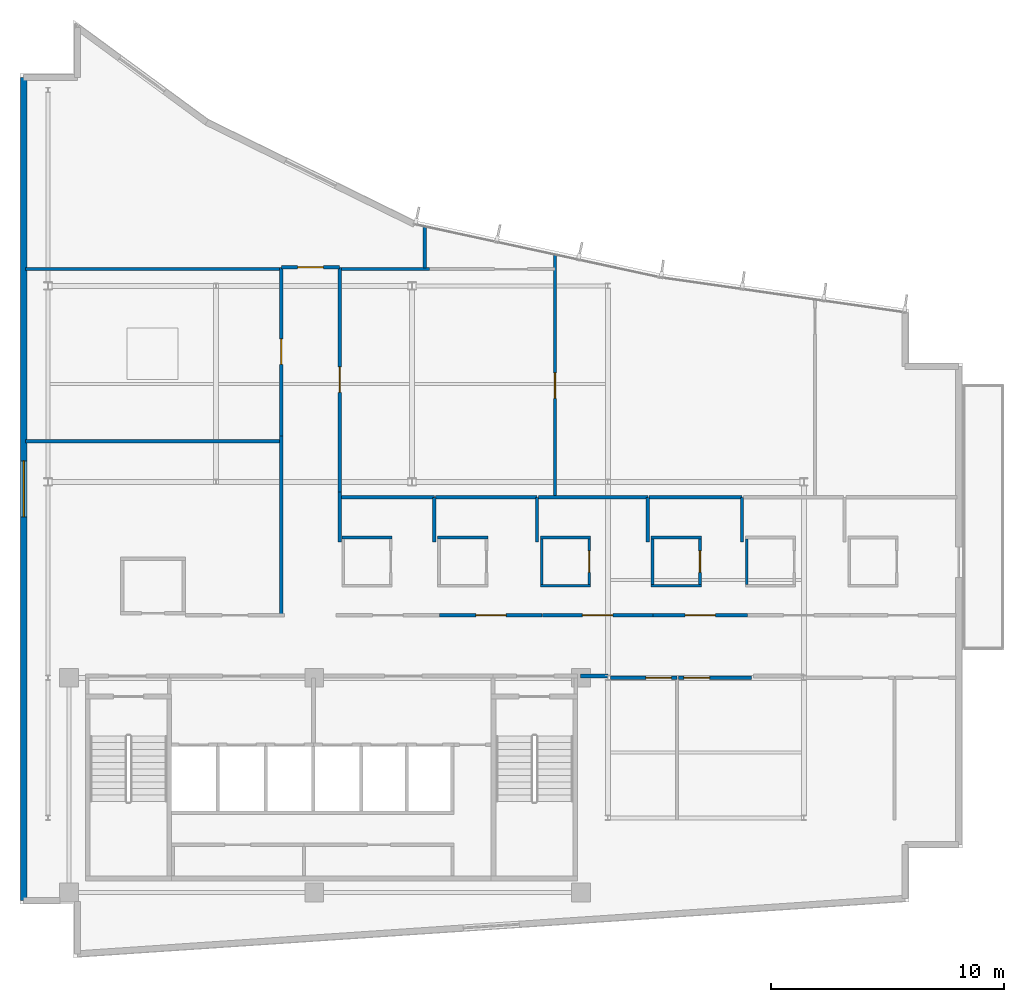
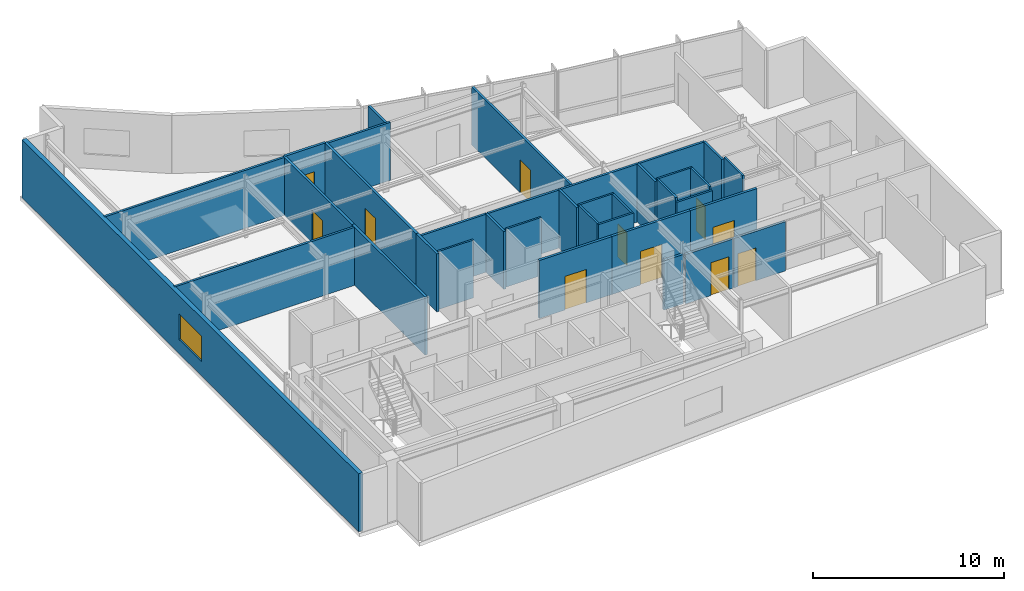
# One storey, part 11 of 16: 36 walls, 11 doors, 1 window, 12 openings.
"""IFC4 building model written with IfcOpenShell, lengths in metres."""

from ifc_helpers import new_model, si_unit, direction, frame, frame_2d, origin, place, context, subcontext, project, spatial, rectangle, extrude, material, layer, layer_set, type_object, element, fill, save


model = new_model("IFC4")

# Units and contexts
model_context = context("Model", 3, precision=1e-05, world=origin(), true_north=direction((0.0, 1.0)))
body_context = subcontext(model_context, "Body", "Model", "MODEL_VIEW")
ifc_project = project(units=[si_unit("LENGTHUNIT", "METRE"), si_unit("AREAUNIT", "SQUARE_METRE"), si_unit("VOLUMEUNIT", "CUBIC_METRE"), si_unit("PLANEANGLEUNIT", "RADIAN"), si_unit("MASSUNIT", "GRAM", prefix="KILO")], contexts=[model_context])

# Site, building, storey
site_placement = place(None, origin())
site = spatial("IfcSite", under=ifc_project, at=site_placement, CompositionType="ELEMENT")
building_placement = place(site_placement, origin())
building = spatial("IfcBuilding", under=site, at=building_placement, Name="Varnakote Quay Hospital", CompositionType="ELEMENT")
storey_placement = place(building_placement, frame((0.0, 0.0, 296.050048828125)))
storey = spatial("IfcBuildingStorey", under=building, at=storey_placement, Name="L73", CompositionType="ELEMENT", Elevation=296.050048828125)

# Walls
ifc_material_1 = material(Name="Fire-rated acoustic gypsum stud wall", Category="gypsum")
ifc_layer_1 = layer(ifc_material_1, 0.159912109375)
ifc_layer_set_1 = layer_set([ifc_layer_1], Name="Fire-rated acoustic gypsum stud wall")
wall_type_1 = type_object("IfcWallType", Name="WL-COMP-160", PredefinedType="PARTITIONING", material=ifc_layer_set_1)
wall_1_placement = place(storey_placement, frame((24.02001953125, 12.080078125, 0.0), z_axis=(0.0, 0.0, 1.0), x_axis=(1.0, 0.0, 0.0)))
element("IfcWall", 1, at=wall_1_placement, inside=storey, type_object=wall_type_1, Name="L73 Corridor South Gap Wall", PredefinedType="PARTITIONING", context=body_context, shape_type="SweptSolid", body=[
    extrude(rectangle(XDim=1.193115234375, YDim=0.159912109375, at=frame_2d((0.5966796875, 0.0))), origin(), (0.0, 0.0, 1.0), 3.156982421875),
])
ifc_material_2 = material(Name="Moisture-resistant bathroom partition", Category="gypsum")
ifc_layer_2 = layer(ifc_material_2, 0.114990234375)
ifc_layer_set_2 = layer_set([ifc_layer_2], Name="Moisture-resistant bathroom partition")
wall_type_2 = type_object("IfcWallType", Name="WL-ENS-115", PredefinedType="PARTITIONING", material=ifc_layer_set_2)
wall_2_placement = place(storey_placement, frame((13.804931640625, 18.017578125, 0.0), z_axis=(0.0, 0.0, 1.0), x_axis=(1.0, 0.0, 0.0)))
element("IfcWall", 2, at=wall_2_placement, inside=storey, type_object=wall_type_2, Name="L73 Inpatient En-Suite Bathroom 01 N Wall", PredefinedType="PARTITIONING", context=body_context, shape_type="SweptSolid", body=[
    extrude(rectangle(XDim=2.150146484375, YDim=0.114990234375, at=frame_2d((1.0751953125, 0.0))), origin(), (0.0, 0.0, 1.0), 3.7099609375),
])
wall_3_placement = place(storey_placement, frame((17.905029296875, 18.017578125, 0.0), z_axis=(0.0, 0.0, 1.0), x_axis=(1.0, 0.0, 0.0)))
element("IfcWall", 3, at=wall_3_placement, inside=storey, type_object=wall_type_2, Name="L73 Inpatient En-Suite Bathroom 02 N Wall", PredefinedType="PARTITIONING", context=body_context, shape_type="SweptSolid", body=[
    extrude(rectangle(XDim=2.14990234375, YDim=0.114990234375, at=frame_2d((1.074951171875, 0.0))), origin(), (0.0, 0.0, 1.0), 3.7099609375),
])
for number, where, z_axis, x_axis, name in (
    (4, (22.304931640625, 15.952392578125, 0.0), (0.0, 0.0, 1.0), (1.0, 0.0, 0.0), "L73 Inpatient En-Suite Bathroom 03 S Wall"),
    (5, (22.304931640625, 18.017578125, 0.0), (0.0, 0.0, 1.0), (1.0, 0.0, 0.0), "L73 Inpatient En-Suite Bathroom 03 N Wall"),
):
    element("IfcWall", number, at=place(storey_placement, frame(where, z_axis=z_axis, x_axis=x_axis)), inside=storey, type_object=wall_type_2, Name=name, PredefinedType="PARTITIONING", context=body_context, shape_type="SweptSolid", body=[
        extrude(rectangle(XDim=2.150146484375, YDim=0.114990234375, at=frame_2d((1.0751953125, 0.0))), origin(), (0.0, 0.0, 1.0), 3.7099609375),
    ])
wall_4_placement = place(storey_placement, frame((22.362548828125, 16.010009765625, 0.0), z_axis=(0.0, 0.0, 1.0), x_axis=(0.0, 1.0, 0.0)))
element("IfcWall", 6, at=wall_4_placement, inside=storey, type_object=wall_type_2, Name="L73 Inpatient En-Suite Bathroom 03 W Wall", PredefinedType="PARTITIONING", context=body_context, shape_type="SweptSolid", body=[
    extrude(rectangle(XDim=1.949951171875, YDim=0.114990234375, at=frame_2d((0.97509765625, 0.0))), origin(), (0.0, 0.0, 1.0), 3.7099609375),
])

# Wall, opening, door
wall_5_placement = place(storey_placement, frame((24.3974609375, 16.010009765625, 0.0), z_axis=(0.0, 0.0, 1.0), x_axis=(0.0, 1.0, 0.0)))
wall_5 = element("IfcWall", 7, at=wall_5_placement, inside=storey, type_object=wall_type_2, Name="L73 Inpatient En-Suite Bathroom 03 E Wall", PredefinedType="PARTITIONING", context=body_context, shape_type="SweptSolid", body=[
    extrude(rectangle(XDim=1.949951171875, YDim=0.114990234375, at=frame_2d((0.97509765625, 0.0))), origin(), (0.0, 0.0, 1.0), 3.7099609375),
])
opening_1_placement = place(wall_5_placement, frame((0.514892578125, 0.0, 0.0)))
opening_1 = element("IfcOpeningElement", 8, at=opening_1_placement, cuts=wall_5, Name="Opening D-L73-ENS03", PredefinedType="OPENING", context=body_context, shape_type="SweptSolid", body=[
    extrude(rectangle(XDim=0.919921875, YDim=2.10009765625, at=frame_2d((0.4599609375, 1.050048828125))), frame((0.0, 0.0673828125, 0.0), z_axis=(0.0, -1.0, 0.0), x_axis=(1.0, 0.0, 0.0)), (0.0, 0.0, 1.0), 0.135009765625),
])
ifc_material_3 = material(Name="Moisture-sealed en-suite bathroom door")
door_type_1 = type_object("IfcDoorType", Name="DR-ENS-920x2100", OperationType="NOTDEFINED", PredefinedType="DOOR", material=ifc_material_3)
door_1_placement = place(opening_1_placement, origin())
door_1 = element("IfcDoor", 9, at=door_1_placement, inside=storey, type_object=door_type_1, Name="L73 Inpatient En-Suite Bathroom 03 Door", OperationType="SINGLE_SWING_RIGHT", OverallHeight=2.10009765625, OverallWidth=0.919921875, PredefinedType="DOOR", context=body_context, shape_type="SweptSolid", body=[
    extrude(rectangle(XDim=0.919921875, YDim=2.10009765625, at=frame_2d((0.4599609375, 1.050048828125))), frame((0.0, 0.02490234375, 0.0), z_axis=(0.0, -1.0, 0.0), x_axis=(1.0, 0.0, 0.0)), (0.0, 0.0, 1.0), 0.050048828125),
])
fill(opening_1, door_1)

# Walls
wall_6_placement = place(storey_placement, frame((27.054931640625, 15.952392578125, 0.0), z_axis=(0.0, 0.0, 1.0), x_axis=(1.0, 0.0, 0.0)))
element("IfcWall", 10, at=wall_6_placement, inside=storey, type_object=wall_type_2, Name="L73 Inpatient En-Suite Bathroom 04 S Wall", PredefinedType="PARTITIONING", context=body_context, shape_type="SweptSolid", body=[
    extrude(rectangle(XDim=2.150146484375, YDim=0.114990234375, at=frame_2d((1.0751953125, 0.0))), origin(), (0.0, 0.0, 1.0), 3.47802734375),
])
wall_7_placement = place(storey_placement, frame((27.054931640625, 18.017578125, 0.0), z_axis=(0.0, 0.0, 1.0), x_axis=(1.0, 0.0, 0.0)))
element("IfcWall", 11, at=wall_7_placement, inside=storey, type_object=wall_type_2, Name="L73 Inpatient En-Suite Bathroom 04 N Wall", PredefinedType="PARTITIONING", context=body_context, shape_type="SweptSolid", body=[
    extrude(rectangle(XDim=2.150146484375, YDim=0.114990234375, at=frame_2d((1.0751953125, 0.0))), origin(), (0.0, 0.0, 1.0), 3.7099609375),
])
wall_8_placement = place(storey_placement, frame((27.112548828125, 16.010009765625, 0.0), z_axis=(0.0, 0.0, 1.0), x_axis=(0.0, 1.0, 0.0)))
element("IfcWall", 12, at=wall_8_placement, inside=storey, type_object=wall_type_2, Name="L73 Inpatient En-Suite Bathroom 04 W Wall", PredefinedType="PARTITIONING", context=body_context, shape_type="SweptSolid", body=[
    extrude(rectangle(XDim=1.949951171875, YDim=0.114990234375, at=frame_2d((0.97509765625, 0.0))), origin(), (0.0, 0.0, 1.0), 3.7099609375),
])

# Wall, opening, door
wall_9_placement = place(storey_placement, frame((29.1474609375, 16.010009765625, 0.0), z_axis=(0.0, 0.0, 1.0), x_axis=(0.0, 1.0, 0.0)))
wall_9 = element("IfcWall", 13, at=wall_9_placement, inside=storey, type_object=wall_type_2, Name="L73 Inpatient En-Suite Bathroom 04 E Wall", PredefinedType="PARTITIONING", context=body_context, shape_type="SweptSolid", body=[
    extrude(rectangle(XDim=1.949951171875, YDim=0.114990234375, at=frame_2d((0.97509765625, 0.0))), origin(), (0.0, 0.0, 1.0), 3.7099609375),
])
opening_2_placement = place(wall_9_placement, frame((0.514892578125, 0.0, 0.0)))
opening_2 = element("IfcOpeningElement", 14, at=opening_2_placement, cuts=wall_9, Name="Opening D-L73-ENS04", PredefinedType="OPENING", context=body_context, shape_type="SweptSolid", body=[
    extrude(rectangle(XDim=0.919921875, YDim=2.10009765625, at=frame_2d((0.4599609375, 1.050048828125))), frame((0.0, 0.0673828125, 0.0), z_axis=(0.0, -1.0, 0.0), x_axis=(1.0, 0.0, 0.0)), (0.0, 0.0, 1.0), 0.135009765625),
])
door_2_placement = place(opening_2_placement, origin())
door_2 = element("IfcDoor", 15, at=door_2_placement, inside=storey, type_object=door_type_1, Name="L73 Inpatient En-Suite Bathroom 04 Door", OperationType="SINGLE_SWING_LEFT", OverallHeight=2.10009765625, OverallWidth=0.919921875, PredefinedType="DOOR", context=body_context, shape_type="SweptSolid", body=[
    extrude(rectangle(XDim=0.919921875, YDim=2.10009765625, at=frame_2d((0.4599609375, 1.050048828125))), frame((0.0, 0.02490234375, 0.0), z_axis=(0.0, -1.0, 0.0), x_axis=(1.0, 0.0, 0.0)), (0.0, 0.0, 1.0), 0.050048828125),
])
fill(opening_2, door_2)

# Wall
wall_10_placement = place(storey_placement, frame((31.152587890625, 16.010009765625, 0.0), z_axis=(0.0, 0.0, 1.0), x_axis=(0.0, 1.0, 0.0)))
element("IfcWall", 16, at=wall_10_placement, inside=storey, type_object=wall_type_2, Name="L73 Inpatient En-Suite Bathroom 05 W Wall", PredefinedType="PARTITIONING", context=body_context, shape_type="SweptSolid", body=[
    extrude(rectangle(XDim=1.949951171875, YDim=0.114990234375, at=frame_2d((0.97509765625, 0.0))), origin(), (0.0, 0.0, 1.0), 3.7099609375),
])

# Wall, opening, window
ifc_material_4 = material(Name="Precast concrete N50 (f'c 50 MPa)", Category="concrete")
ifc_layer_3 = layer(ifc_material_4, 0.260009765625)
ifc_layer_set_3 = layer_set([ifc_layer_3], Name="Precast concrete N50 (f'c 50 MPa)")
wall_type_3 = type_object("IfcWallType", Name="WL-EXT-BRICK-260", PredefinedType="STANDARD", material=ifc_layer_set_3)
wall_11_placement = place(storey_placement, frame((0.159912109375, 37.739990234375, 0.0), z_axis=(0.0, 0.0, 1.0), x_axis=(0.0, -1.0, 0.0)))
wall_11 = element("IfcWall", 17, at=wall_11_placement, inside=storey, type_object=wall_type_3, Name="L73 Brick-Faced Precast Exterior Wall", PredefinedType="STANDARD", context=body_context, shape_type="SweptSolid", body=[
    extrude(rectangle(XDim=35.280029296875, YDim=0.260009765625, at=frame_2d((17.64013671875, 0.0))), origin(), (0.0, 0.0, 1.0), 3.7099609375),
])
opening_3_placement = place(wall_11_placement, frame((16.43994140625, 0.0, 0.89990234375)))
opening_3 = element("IfcOpeningElement", 18, at=opening_3_placement, cuts=wall_11, Name="Opening WN-0297", PredefinedType="OPENING", context=body_context, shape_type="SweptSolid", body=[
    extrude(rectangle(XDim=2.39990234375, YDim=1.64990234375, at=frame_2d((1.199951171875, 0.824951171875))), frame((0.0, 0.139892578125, 0.0), z_axis=(0.0, -1.0, 0.0), x_axis=(1.0, 0.0, 0.0)), (0.0, 0.0, 1.0), 0.280029296875),
])
ifc_material_5 = material(Name="Double-glazed low-E solar glass", Category="glass")
window_type = type_object("IfcWindowType", Name="WIN-CLIN-2400x1650", PartitioningType="SINGLE_PANEL", PredefinedType="WINDOW", material=ifc_material_5)
window_placement = place(opening_3_placement, origin())
window = element("IfcWindow", 19, at=window_placement, inside=storey, type_object=window_type, Name="L73 Solar-Control Clinical Window", OverallHeight=1.64990234375, OverallWidth=2.39990234375, PartitioningType="SINGLE_PANEL", PredefinedType="WINDOW", context=body_context, shape_type="SweptSolid", body=[
    extrude(rectangle(XDim=2.39990234375, YDim=1.64990234375, at=frame_2d((1.199951171875, 0.824951171875))), frame((0.0, 0.030029296875, 0.0), z_axis=(0.0, -1.0, 0.0), x_axis=(1.0, 0.0, 0.0)), (0.0, 0.0, 1.0), 0.06005859375),
])
fill(opening_3, window)

# Walls
ifc_material_6 = material(Name="Smoke-proof clinical partition", Category="gypsum")
ifc_layer_4 = layer(ifc_material_6, 0.135009765625)
ifc_layer_set_4 = layer_set([ifc_layer_4], Name="Smoke-proof clinical partition")
wall_type_4 = type_object("IfcWallType", Name="WL-SMOKE-135", PredefinedType="PARTITIONING", material=ifc_layer_set_4)
for number, where, z_axis, x_axis, name in (
    (20, (11.1201171875, 22.139892578125, 0.0), (0.0, 0.0, 1.0), (-1.0, 0.0, 0.0), "L73 Clinical Interior Partition"),
    (21, (11.1201171875, 29.52001953125, 0.0), (0.0, 0.0, 1.0), (-1.0, 0.0, 0.0), "L73 Clinical Interior Partition"),
):
    element("IfcWall", number, at=place(storey_placement, frame(where, z_axis=z_axis, x_axis=x_axis)), inside=storey, type_object=wall_type_4, Name=name, PredefinedType="PARTITIONING", context=body_context, shape_type="SweptSolid", body=[
        extrude(rectangle(XDim=10.880126953125, YDim=0.135009765625, at=frame_2d((5.43994140625, 0.0))), origin(), (0.0, 0.0, 1.0), 3.7099609375),
    ])
wall_12_placement = place(storey_placement, frame((17.760009765625, 17.83251953125, 0.0), z_axis=(0.0, 0.0, 1.0), x_axis=(0.0, 1.0, 0.0)))
element("IfcWall", 22, at=wall_12_placement, inside=storey, type_object=wall_type_4, Name="L73 Clinical Interior Partition", PredefinedType="PARTITIONING", context=body_context, shape_type="SweptSolid", body=[
    extrude(rectangle(XDim=1.907470703125, YDim=0.135009765625, at=frame_2d((0.95361328125, 0.0))), origin(), (0.0, 0.0, 1.0), 3.7099609375),
])
wall_13_placement = place(storey_placement, frame((17.760009765625, 19.739990234375, 0.0), z_axis=(0.0, 0.0, 1.0), x_axis=(-1.0, 0.0, 0.0)))
element("IfcWall", 23, at=wall_13_placement, inside=storey, type_object=wall_type_4, Name="L73 Clinical Interior Partition", PredefinedType="PARTITIONING", context=body_context, shape_type="SweptSolid", body=[
    extrude(rectangle(XDim=3.97998046875, YDim=0.135009765625, at=frame_2d((1.989990234375, 0.0))), origin(), (0.0, 0.0, 1.0), 3.7099609375),
])
wall_14_placement = place(storey_placement, frame((22.159912109375, 17.83251953125, 0.0), z_axis=(0.0, 0.0, 1.0), x_axis=(0.0, 1.0, 0.0)))
element("IfcWall", 24, at=wall_14_placement, inside=storey, type_object=wall_type_4, Name="L73 Clinical Interior Partition", PredefinedType="PARTITIONING", context=body_context, shape_type="SweptSolid", body=[
    extrude(rectangle(XDim=1.907470703125, YDim=0.135009765625, at=frame_2d((0.95361328125, 0.0))), origin(), (0.0, 0.0, 1.0), 3.7099609375),
])
wall_15_placement = place(storey_placement, frame((22.159912109375, 19.739990234375, 0.0), z_axis=(0.0, 0.0, 1.0), x_axis=(-1.0, 0.0, 0.0)))
element("IfcWall", 25, at=wall_15_placement, inside=storey, type_object=wall_type_4, Name="L73 Clinical Interior Partition", PredefinedType="PARTITIONING", context=body_context, shape_type="SweptSolid", body=[
    extrude(rectangle(XDim=4.342529296875, YDim=0.135009765625, at=frame_2d((2.17138671875, 0.0))), origin(), (0.0, 0.0, 1.0), 3.7099609375),
])
wall_16_placement = place(storey_placement, frame((26.909912109375, 17.83251953125, 0.0), z_axis=(0.0, 0.0, 1.0), x_axis=(0.0, 1.0, 0.0)))
element("IfcWall", 26, at=wall_16_placement, inside=storey, type_object=wall_type_4, Name="L73 Clinical Interior Partition", PredefinedType="PARTITIONING", context=body_context, shape_type="SweptSolid", body=[
    extrude(rectangle(XDim=1.907470703125, YDim=0.135009765625, at=frame_2d((0.95361328125, 0.0))), origin(), (0.0, 0.0, 1.0), 3.7099609375),
])
wall_17_placement = place(storey_placement, frame((26.909912109375, 19.739990234375, 0.0), z_axis=(0.0, 0.0, 1.0), x_axis=(-1.0, 0.0, 0.0)))
element("IfcWall", 27, at=wall_17_placement, inside=storey, type_object=wall_type_4, Name="L73 Clinical Interior Partition", PredefinedType="PARTITIONING", context=body_context, shape_type="SweptSolid", body=[
    extrude(rectangle(XDim=4.6923828125, YDim=0.135009765625, at=frame_2d((2.34619140625, 0.0))), origin(), (0.0, 0.0, 1.0), 3.7099609375),
])
wall_18_placement = place(storey_placement, frame((30.949951171875, 17.83251953125, 0.0), z_axis=(0.0, 0.0, 1.0), x_axis=(0.0, 1.0, 0.0)))
element("IfcWall", 28, at=wall_18_placement, inside=storey, type_object=wall_type_4, Name="L73 Clinical Interior Partition", PredefinedType="PARTITIONING", context=body_context, shape_type="SweptSolid", body=[
    extrude(rectangle(XDim=1.907470703125, YDim=0.135009765625, at=frame_2d((0.95361328125, 0.0))), origin(), (0.0, 0.0, 1.0), 3.7099609375),
])
wall_19_placement = place(storey_placement, frame((30.949951171875, 19.739990234375, 0.0), z_axis=(0.0, 0.0, 1.0), x_axis=(-1.0, 0.0, 0.0)))
element("IfcWall", 29, at=wall_19_placement, inside=storey, type_object=wall_type_4, Name="L73 Clinical Interior Partition", PredefinedType="PARTITIONING", context=body_context, shape_type="SweptSolid", body=[
    extrude(rectangle(XDim=3.982421875, YDim=0.135009765625, at=frame_2d((1.9912109375, 0.0))), origin(), (0.0, 0.0, 1.0), 3.7099609375),
])

# Wall, opening, door
wall_20_placement = place(storey_placement, frame((22.929931640625, 19.797607421875, 0.0), z_axis=(0.0, 0.0, 1.0), x_axis=(0.0, 1.0, 0.0)))
wall_20 = element("IfcWall", 30, at=wall_20_placement, inside=storey, type_object=wall_type_4, Name="L73 Clinical Interior Partition", PredefinedType="PARTITIONING", context=body_context, shape_type="SweptSolid", body=[
    extrude(rectangle(XDim=10.341064453125, YDim=0.135009765625, at=frame_2d((5.17041015625, 0.0))), origin(), (0.0, 0.0, 1.0), 3.7099609375),
])
opening_4_placement = place(wall_20_placement, frame((4.178466796875, 0.0, 0.0)))
opening_4 = element("IfcOpeningElement", 31, at=opening_4_placement, cuts=wall_20, Name="Opening D-L73-MD04", PredefinedType="OPENING", context=body_context, shape_type="SweptSolid", body=[
    extrude(rectangle(XDim=1.10009765625, YDim=2.10009765625, at=frame_2d((0.550048828125, 1.050048828125))), frame((0.0, 0.077392578125, 0.0), z_axis=(0.0, -1.0, 0.0), x_axis=(1.0, 0.0, 0.0)), (0.0, 0.0, 1.0), 0.155029296875),
])
ifc_material_7 = material(Name="Acoustic timber clinical consult door", Category="wood")
door_type_2 = type_object("IfcDoorType", Name="DR-CLIN-FD30S-1100x2100", OperationType="NOTDEFINED", PredefinedType="DOOR", material=ifc_material_7)
door_3_placement = place(opening_4_placement, origin())
door_3 = element("IfcDoor", 32, at=door_3_placement, inside=storey, type_object=door_type_2, Name="L73 Crown Clinical Pantry Door", OperationType="SINGLE_SWING_RIGHT", OverallHeight=2.10009765625, OverallWidth=1.10009765625, PredefinedType="DOOR", context=body_context, shape_type="SweptSolid", body=[
    extrude(rectangle(XDim=1.10009765625, YDim=2.10009765625, at=frame_2d((0.550048828125, 1.050048828125))), frame((0.0, 0.02490234375, 0.0), z_axis=(0.0, -1.0, 0.0), x_axis=(1.0, 0.0, 0.0)), (0.0, 0.0, 1.0), 0.050048828125),
])
fill(opening_4, door_3)

# Walls
wall_21_placement = place(storey_placement, frame((17.544677734375, 29.52001953125, 0.0), z_axis=(0.0, 0.0, 1.0), x_axis=(-1.0, 0.0, 0.0)))
element("IfcWall", 33, at=wall_21_placement, inside=storey, type_object=wall_type_4, Name="L73 Clinical Interior Partition", PredefinedType="PARTITIONING", context=body_context, shape_type="SweptSolid", body=[
    extrude(rectangle(XDim=3.7646484375, YDim=0.135009765625, at=frame_2d((1.88232421875, 0.0))), origin(), (0.0, 0.0, 1.0), 3.7099609375),
])
wall_22_placement = place(storey_placement, frame((17.35009765625, 29.577392578125, 0.0), z_axis=(0.0, 0.0, 1.0), x_axis=(0.0, 1.0, 0.0)))
element("IfcWall", 34, at=wall_22_placement, inside=storey, type_object=wall_type_4, Name="L73 Clinical Interior Partition", PredefinedType="PARTITIONING", context=body_context, shape_type="SweptSolid", body=[
    extrude(rectangle(XDim=1.768310546875, YDim=0.135009765625, at=frame_2d((0.88427734375, 0.0))), origin(), (0.0, 0.0, 1.0), 3.7099609375),
])

# Wall, opening, door
ifc_material_8 = material(Name="Fire-rated clinical gypsum partition", Category="gypsum")
ifc_layer_5 = layer(ifc_material_8, 0.14990234375)
ifc_layer_set_5 = layer_set([ifc_layer_5], Name="Fire-rated clinical gypsum partition")
wall_type_5 = type_object("IfcWallType", Name="WL-WARD-150", PredefinedType="PARTITIONING", material=ifc_layer_set_5)
wall_23_placement = place(storey_placement, frame((28.159912109375, 12.0, 0.0), z_axis=(0.0, 0.0, 1.0), x_axis=(-1.0, 0.0, 0.0)))
wall_23 = element("IfcWall", 35, at=wall_23_placement, inside=storey, type_object=wall_type_5, Name="L73 Clinical Interior Partition", PredefinedType="PARTITIONING", context=body_context, shape_type="SweptSolid", body=[
    extrude(rectangle(XDim=2.857421875, YDim=0.14990234375, at=frame_2d((1.4287109375, 0.0))), origin(), (0.0, 0.0, 1.0), 3.156982421875),
])
opening_5_placement = place(wall_23_placement, frame((0.23388671875, 0.0, 0.0)))
opening_5 = element("IfcOpeningElement", 36, at=opening_5_placement, cuts=wall_23, Name="Opening D-L73-RL1", PredefinedType="OPENING", context=body_context, shape_type="SweptSolid", body=[
    extrude(rectangle(XDim=1.10009765625, YDim=2.10009765625, at=frame_2d((0.550048828125, 1.050048828125))), frame((0.0, 0.0849609375, 0.0), z_axis=(0.0, -1.0, 0.0), x_axis=(1.0, 0.0, 0.0)), (0.0, 0.0, 1.0), 0.169921875),
])
door_4_placement = place(opening_5_placement, origin())
door_4 = element("IfcDoor", 37, at=door_4_placement, inside=storey, type_object=door_type_2, Name="L73 Day Infusion Treatment Suite Door", OperationType="SINGLE_SWING_RIGHT", OverallHeight=2.10009765625, OverallWidth=1.10009765625, PredefinedType="DOOR", context=body_context, shape_type="SweptSolid", body=[
    extrude(rectangle(XDim=1.10009765625, YDim=2.10009765625, at=frame_2d((0.550048828125, 1.050048828125))), frame((0.0, 0.02490234375, 0.0), z_axis=(0.0, -1.0, 0.0), x_axis=(1.0, 0.0, 0.0)), (0.0, 0.0, 1.0), 0.050048828125),
])
fill(opening_5, door_4)

wall_24_placement = place(storey_placement, frame((31.35009765625, 12.0, 0.0), z_axis=(0.0, 0.0, 1.0), x_axis=(-1.0, 0.0, 0.0)))
wall_24 = element("IfcWall", 38, at=wall_24_placement, inside=storey, type_object=wall_type_5, Name="L73 Clinical Interior Partition", PredefinedType="PARTITIONING", context=body_context, shape_type="SweptSolid", body=[
    extrude(rectangle(XDim=3.132568359375, YDim=0.14990234375, at=frame_2d((1.56640625, 0.0))), origin(), (0.0, 0.0, 1.0), 3.156982421875),
])
opening_6_placement = place(wall_24_placement, frame((1.791748046875, 0.0, 0.0)))
opening_6 = element("IfcOpeningElement", 39, at=opening_6_placement, cuts=wall_24, Name="Opening D-L73-RL2", PredefinedType="OPENING", context=body_context, shape_type="SweptSolid", body=[
    extrude(rectangle(XDim=1.10009765625, YDim=2.10009765625, at=frame_2d((0.550048828125, 1.050048828125))), frame((0.0, 0.0849609375, 0.0), z_axis=(0.0, -1.0, 0.0), x_axis=(1.0, 0.0, 0.0)), (0.0, 0.0, 1.0), 0.169921875),
])
door_5_placement = place(opening_6_placement, origin())
door_5 = element("IfcDoor", 40, at=door_5_placement, inside=storey, type_object=door_type_2, Name="L73 Telemedicine Consult Office Door", OperationType="SINGLE_SWING_LEFT", OverallHeight=2.10009765625, OverallWidth=1.10009765625, PredefinedType="DOOR", context=body_context, shape_type="SweptSolid", body=[
    extrude(rectangle(XDim=1.10009765625, YDim=2.10009765625, at=frame_2d((0.550048828125, 1.050048828125))), frame((0.0, 0.02490234375, 0.0), z_axis=(0.0, -1.0, 0.0), x_axis=(1.0, 0.0, 0.0)), (0.0, 0.0, 1.0), 0.050048828125),
])
fill(opening_6, door_5)

wall_25_placement = place(storey_placement, frame((22.385986328125, 14.679931640625, 0.0), z_axis=(0.0, 0.0, 1.0), x_axis=(-1.0, 0.0, 0.0)))
wall_25 = element("IfcWall", 41, at=wall_25_placement, inside=storey, type_object=wall_type_5, Name="L73 Clinical Interior Partition", PredefinedType="PARTITIONING", context=body_context, shape_type="SweptSolid", body=[
    extrude(rectangle(XDim=4.39794921875, YDim=0.14990234375, at=frame_2d((2.198974609375, 0.0))), origin(), (0.0, 0.0, 1.0), 3.7099609375),
])
opening_7_placement = place(wall_25_placement, frame((1.549072265625, 0.0, 0.0)))
opening_7 = element("IfcOpeningElement", 42, at=opening_7_placement, cuts=wall_25, Name="Opening D-L73-BR02", PredefinedType="OPENING", context=body_context, shape_type="SweptSolid", body=[
    extrude(rectangle(XDim=1.300048828125, YDim=2.14990234375, at=frame_2d((0.64990234375, 1.074951171875))), frame((0.0, 0.0849609375, 0.0), z_axis=(0.0, -1.0, 0.0), x_axis=(1.0, 0.0, 0.0)), (0.0, 0.0, 1.0), 0.169921875),
])
ifc_material_9 = material(Name="Solid-core timber clinical bed door", Category="wood")
door_type_3 = type_object("IfcDoorType", Name="DR-WARD-FD30S-1300x2150", OperationType="NOTDEFINED", PredefinedType="DOOR", material=ifc_material_9)
door_6_placement = place(opening_7_placement, origin())
door_6 = element("IfcDoor", 43, at=door_6_placement, inside=storey, type_object=door_type_3, Name="L73 Resident Care Bedroom 02 Door", OperationType="SINGLE_SWING_RIGHT", OverallHeight=2.14990234375, OverallWidth=1.300048828125, PredefinedType="DOOR", context=body_context, shape_type="SweptSolid", body=[
    extrude(rectangle(XDim=1.300048828125, YDim=2.14990234375, at=frame_2d((0.64990234375, 1.074951171875))), frame((0.0, 0.02490234375, 0.0), z_axis=(0.0, -1.0, 0.0), x_axis=(1.0, 0.0, 0.0)), (0.0, 0.0, 1.0), 0.050048828125),
])
fill(opening_7, door_6)

wall_26_placement = place(storey_placement, frame((27.135986328125, 14.679931640625, 0.0), z_axis=(0.0, 0.0, 1.0), x_axis=(-1.0, 0.0, 0.0)))
wall_26 = element("IfcWall", 44, at=wall_26_placement, inside=storey, type_object=wall_type_5, Name="L73 Clinical Interior Partition", PredefinedType="PARTITIONING", context=body_context, shape_type="SweptSolid", body=[
    extrude(rectangle(XDim=4.748046875, YDim=0.14990234375, at=frame_2d((2.3740234375, 0.0))), origin(), (0.0, 0.0, 1.0), 3.7099609375),
])
opening_8_placement = place(wall_26_placement, frame((1.72412109375, 0.0, 0.0)))
opening_8 = element("IfcOpeningElement", 45, at=opening_8_placement, cuts=wall_26, Name="Opening D-L73-BR03", PredefinedType="OPENING", context=body_context, shape_type="SweptSolid", body=[
    extrude(rectangle(XDim=1.300048828125, YDim=2.14990234375, at=frame_2d((0.64990234375, 1.074951171875))), frame((0.0, 0.0849609375, 0.0), z_axis=(0.0, -1.0, 0.0), x_axis=(1.0, 0.0, 0.0)), (0.0, 0.0, 1.0), 0.169921875),
])
door_7_placement = place(opening_8_placement, origin())
door_7 = element("IfcDoor", 46, at=door_7_placement, inside=storey, type_object=door_type_3, Name="L73 Resident Care Bedroom 03 Door", OperationType="SINGLE_SWING_LEFT", OverallHeight=2.14990234375, OverallWidth=1.300048828125, PredefinedType="DOOR", context=body_context, shape_type="SweptSolid", body=[
    extrude(rectangle(XDim=1.300048828125, YDim=2.14990234375, at=frame_2d((0.64990234375, 1.074951171875))), frame((0.0, 0.02490234375, 0.0), z_axis=(0.0, -1.0, 0.0), x_axis=(1.0, 0.0, 0.0)), (0.0, 0.0, 1.0), 0.050048828125),
])
fill(opening_8, door_7)

wall_27_placement = place(storey_placement, frame((31.176025390625, 14.679931640625, 0.0), z_axis=(0.0, 0.0, 1.0), x_axis=(-1.0, 0.0, 0.0)))
wall_27 = element("IfcWall", 47, at=wall_27_placement, inside=storey, type_object=wall_type_5, Name="L73 Clinical Interior Partition", PredefinedType="PARTITIONING", context=body_context, shape_type="SweptSolid", body=[
    extrude(rectangle(XDim=4.0380859375, YDim=0.14990234375, at=frame_2d((2.01904296875, 0.0))), origin(), (0.0, 0.0, 1.0), 3.7099609375),
])
opening_9_placement = place(wall_27_placement, frame((1.368896484375, 0.0, 0.0)))
opening_9 = element("IfcOpeningElement", 48, at=opening_9_placement, cuts=wall_27, Name="Opening D-L73-BR04", PredefinedType="OPENING", context=body_context, shape_type="SweptSolid", body=[
    extrude(rectangle(XDim=1.300048828125, YDim=2.14990234375, at=frame_2d((0.64990234375, 1.074951171875))), frame((0.0, 0.0849609375, 0.0), z_axis=(0.0, -1.0, 0.0), x_axis=(1.0, 0.0, 0.0)), (0.0, 0.0, 1.0), 0.169921875),
])
door_8_placement = place(opening_9_placement, origin())
door_8 = element("IfcDoor", 49, at=door_8_placement, inside=storey, type_object=door_type_3, Name="L73 Resident Care Bedroom 04 Door", OperationType="SINGLE_SWING_RIGHT", OverallHeight=2.14990234375, OverallWidth=1.300048828125, PredefinedType="DOOR", context=body_context, shape_type="SweptSolid", body=[
    extrude(rectangle(XDim=1.300048828125, YDim=2.14990234375, at=frame_2d((0.64990234375, 1.074951171875))), frame((0.0, 0.02490234375, 0.0), z_axis=(0.0, -1.0, 0.0), x_axis=(1.0, 0.0, 0.0)), (0.0, 0.0, 1.0), 0.050048828125),
])
fill(opening_9, door_8)

# Wall
wall_28_placement = place(storey_placement, frame((11.199951171875, 22.365966796875, 0.0), z_axis=(0.0, 0.0, 1.0), x_axis=(0.0, -1.0, 0.0)))
element("IfcWall", 50, at=wall_28_placement, inside=storey, type_object=wall_type_5, Name="L73 Clinical Interior Partition", PredefinedType="PARTITIONING", context=body_context, shape_type="SweptSolid", body=[
    extrude(rectangle(XDim=7.666015625, YDim=0.14990234375, at=frame_2d((3.8330078125, 0.0))), origin(), (0.0, 0.0, 1.0), 3.7099609375),
])

# Wall, opening, door
wall_29_placement = place(storey_placement, frame((11.199951171875, 29.60009765625, 0.0), z_axis=(0.0, 0.0, 1.0), x_axis=(0.0, -1.0, 0.0)))
wall_29 = element("IfcWall", 51, at=wall_29_placement, inside=storey, type_object=wall_type_5, Name="L73 Clinical Interior Partition", PredefinedType="PARTITIONING", context=body_context, shape_type="SweptSolid", body=[
    extrude(rectangle(XDim=7.232177734375, YDim=0.14990234375, at=frame_2d((3.6162109375, 0.0))), origin(), (0.0, 0.0, 1.0), 3.7099609375),
])
opening_10_placement = place(wall_29_placement, frame((3.06591796875, 0.0, 0.0)))
opening_10 = element("IfcOpeningElement", 52, at=opening_10_placement, cuts=wall_29, Name="Opening D-L73-MD02", PredefinedType="OPENING", context=body_context, shape_type="SweptSolid", body=[
    extrude(rectangle(XDim=1.10009765625, YDim=2.10009765625, at=frame_2d((0.550048828125, 1.050048828125))), frame((0.0, 0.0849609375, 0.0), z_axis=(0.0, -1.0, 0.0), x_axis=(1.0, 0.0, 0.0)), (0.0, 0.0, 1.0), 0.169921875),
])
door_9_placement = place(opening_10_placement, origin())
door_9 = element("IfcDoor", 53, at=door_9_placement, inside=storey, type_object=door_type_2, Name="L73 Crown Trauma Transfer Treatment Suite Door", OperationType="SINGLE_SWING_LEFT", OverallHeight=2.10009765625, OverallWidth=1.10009765625, PredefinedType="DOOR", context=body_context, shape_type="SweptSolid", body=[
    extrude(rectangle(XDim=1.10009765625, YDim=2.10009765625, at=frame_2d((0.550048828125, 1.050048828125))), frame((0.0, 0.02490234375, 0.0), z_axis=(0.0, -1.0, 0.0), x_axis=(1.0, 0.0, 0.0)), (0.0, 0.0, 1.0), 0.050048828125),
])
fill(opening_10, door_9)

# Wall
wall_30_placement = place(storey_placement, frame((13.699951171875, 17.81396484375, 0.0), z_axis=(0.0, 0.0, 1.0), x_axis=(0.0, 1.0, 0.0)))
element("IfcWall", 54, at=wall_30_placement, inside=storey, type_object=wall_type_5, Name="L73 Clinical Interior Partition", PredefinedType="PARTITIONING", context=body_context, shape_type="SweptSolid", body=[
    extrude(rectangle(XDim=2.152099609375, YDim=0.14990234375, at=frame_2d((1.076171875, 0.0))), origin(), (0.0, 0.0, 1.0), 3.7099609375),
])

# Wall, opening, door
wall_31_placement = place(storey_placement, frame((13.699951171875, 19.968017578125, 0.0), z_axis=(0.0, 0.0, 1.0), x_axis=(0.0, 1.0, 0.0)))
wall_31 = element("IfcWall", 55, at=wall_31_placement, inside=storey, type_object=wall_type_5, Name="L73 Clinical Interior Partition", PredefinedType="PARTITIONING", context=body_context, shape_type="SweptSolid", body=[
    extrude(rectangle(XDim=9.632080078125, YDim=0.14990234375, at=frame_2d((4.81591796875, 0.0))), origin(), (0.0, 0.0, 1.0), 3.7099609375),
])
opening_11_placement = place(wall_31_placement, frame((4.26611328125, 0.0, 0.0)))
opening_11 = element("IfcOpeningElement", 56, at=opening_11_placement, cuts=wall_31, Name="Opening D-L73-MD03", PredefinedType="OPENING", context=body_context, shape_type="SweptSolid", body=[
    extrude(rectangle(XDim=1.10009765625, YDim=2.10009765625, at=frame_2d((0.550048828125, 1.050048828125))), frame((0.0, 0.0849609375, 0.0), z_axis=(0.0, -1.0, 0.0), x_axis=(1.0, 0.0, 0.0)), (0.0, 0.0, 1.0), 0.169921875),
])
door_10_placement = place(opening_11_placement, origin())
door_10 = element("IfcDoor", 57, at=door_10_placement, inside=storey, type_object=door_type_2, Name="L73 Aviation Medical Meeting Room Door", OperationType="SINGLE_SWING_RIGHT", OverallHeight=2.10009765625, OverallWidth=1.10009765625, PredefinedType="DOOR", context=body_context, shape_type="SweptSolid", body=[
    extrude(rectangle(XDim=1.10009765625, YDim=2.10009765625, at=frame_2d((0.550048828125, 1.050048828125))), frame((0.0, 0.02490234375, 0.0), z_axis=(0.0, -1.0, 0.0), x_axis=(1.0, 0.0, 0.0)), (0.0, 0.0, 1.0), 0.050048828125),
])
fill(opening_11, door_10)

wall_32_placement = place(storey_placement, frame((13.699951171875, 29.60009765625, 0.0), z_axis=(0.0, 0.0, 1.0), x_axis=(-1.0, 0.0, 0.0)))
wall_32 = element("IfcWall", 58, at=wall_32_placement, inside=storey, type_object=wall_type_5, Name="L73 Clinical Interior Partition", PredefinedType="PARTITIONING", context=body_context, shape_type="SweptSolid", body=[
    extrude(rectangle(XDim=2.5, YDim=0.14990234375, at=frame_2d((1.25, 0.0))), origin(), (0.0, 0.0, 1.0), 3.7099609375),
])
opening_12_placement = place(wall_32_placement, frame((0.699951171875, 0.0, 0.0)))
opening_12 = element("IfcOpeningElement", 59, at=opening_12_placement, cuts=wall_32, Name="Opening D-L73-MD05", PredefinedType="OPENING", context=body_context, shape_type="SweptSolid", body=[
    extrude(rectangle(XDim=1.10009765625, YDim=2.10009765625, at=frame_2d((0.550048828125, 1.050048828125))), frame((0.0, 0.0849609375, 0.0), z_axis=(0.0, -1.0, 0.0), x_axis=(1.0, 0.0, 0.0)), (0.0, 0.0, 1.0), 0.169921875),
])
door_11_placement = place(opening_12_placement, origin())
door_11 = element("IfcDoor", 60, at=door_11_placement, inside=storey, type_object=door_type_2, Name="L73 Outpatient Specialist Consult Office Door", OperationType="SINGLE_SWING_LEFT", OverallHeight=2.10009765625, OverallWidth=1.10009765625, PredefinedType="DOOR", context=body_context, shape_type="SweptSolid", body=[
    extrude(rectangle(XDim=1.10009765625, YDim=2.10009765625, at=frame_2d((0.550048828125, 1.050048828125))), frame((0.0, 0.02490234375, 0.0), z_axis=(0.0, -1.0, 0.0), x_axis=(1.0, 0.0, 0.0)), (0.0, 0.0, 1.0), 0.050048828125),
])
fill(opening_12, door_11)

save(model, "model.ifc")
